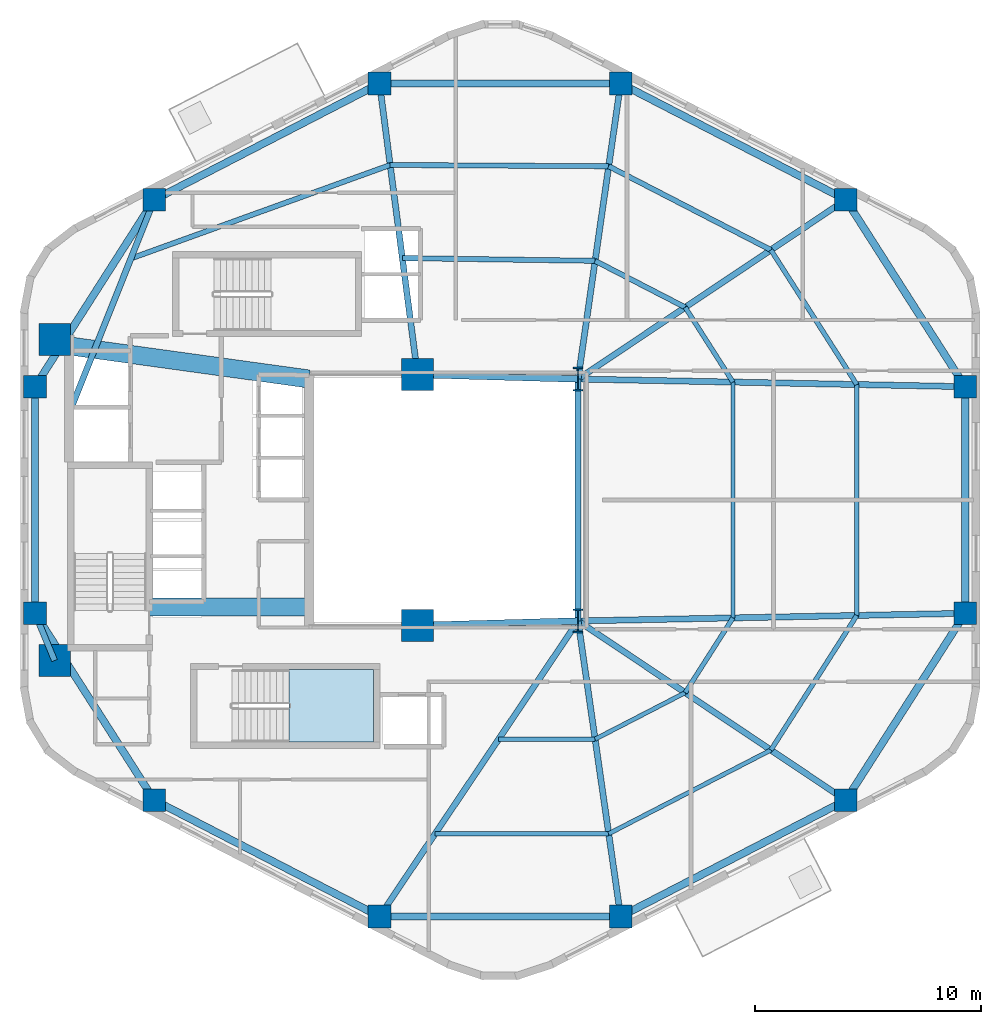
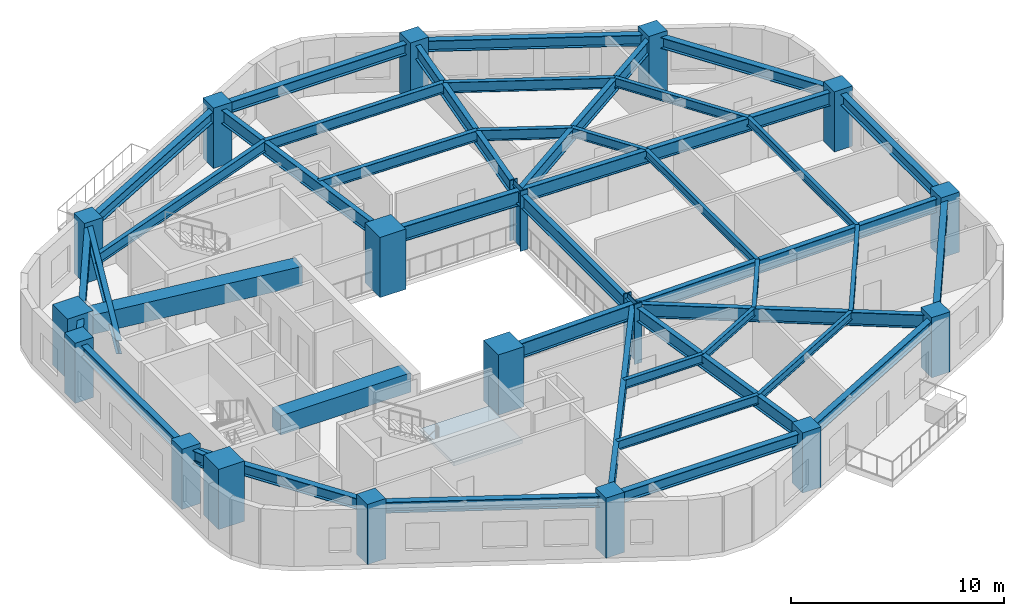
# One storey, part 1 of 8: 42 beams, 18 columns, 1 slab, 1 element without a shape of its own.
"""IFC4 building model written with IfcOpenShell, lengths in metres."""

from ifc_helpers import new_model, si_unit, direction, frame, origin, origin_2d, place, context, subcontext, project, spatial, polyline, rectangle, i_section, outline, extrude, material, layer, layer_set, material_profile, profile_set, type_object, element, aggregate, save


model = new_model("IFC4")

# Units and contexts
model_context = context("Model", 3, precision=1e-05, world=origin(), true_north=direction((0.0, 1.0)))
body_context = subcontext(model_context, "Body", "Model", "MODEL_VIEW")
ifc_project = project(units=[si_unit("LENGTHUNIT", "METRE"), si_unit("AREAUNIT", "SQUARE_METRE"), si_unit("VOLUMEUNIT", "CUBIC_METRE"), si_unit("PLANEANGLEUNIT", "RADIAN"), si_unit("MASSUNIT", "GRAM", prefix="KILO"), si_unit("THERMODYNAMICTEMPERATUREUNIT", "KELVIN"), si_unit("POWERUNIT", "WATT")], contexts=[model_context])

# Site, building, storey
site_placement = place(None, origin())
site = spatial("IfcSite", under=ifc_project, at=site_placement, CompositionType="ELEMENT")
building_placement = place(site_placement, origin())
building = spatial("IfcBuilding", under=site, at=building_placement, Name="Skarre Station Tower", CompositionType="ELEMENT")
storey_placement = place(building_placement, frame((0.0, 0.0, 153.300048828125)))
storey = spatial("IfcBuildingStorey", under=building, at=storey_placement, Name="L41", CompositionType="ELEMENT", Elevation=153.300048828125)

# Columns
ifc_material_1 = material(Name="Concrete C60/75", Category="concrete")
ifc_material_profile_1 = material_profile(ifc_material_1, rectangle(XDim=1.0, YDim=1.0, at=origin_2d()), Name="Concrete C60/75")
ifc_profile_set_1 = profile_set([ifc_material_profile_1], Name="Concrete C60/75")
column_type_1 = type_object("IfcColumnType", Name="RC Structural Column RC-COL-1000X1000", PredefinedType="COLUMN", material=ifc_profile_set_1)
for number, where, z_axis, x_axis, name in (
    (1, (51.291015625, 37.277099609375, 0.0), (0.0, 0.0, 1.0), (1.0, 0.0, 0.0), "L41 Zone 2 Perimeter Column F0C1"),
    (2, (41.3310546875, 42.41796875, 0.0), (0.0, 0.0, 1.0), (1.0, 0.0, 0.0), "L41 Zone 2 Perimeter Column F0C2"),
    (3, (30.6689453125, 42.41796875, 0.0), (0.0, 0.0, 1.0), (1.0, 0.0, 0.0), "L41 Zone 2 Perimeter Column F1C1"),
    (4, (20.708984375, 37.277099609375, 0.0), (0.0, 0.0, 1.0), (1.0, 0.0, 0.0), "L41 Zone 2 Perimeter Column F1C2"),
    (5, (15.431884765625, 29.010986328125, 0.0), (0.0, 0.0, 1.0), (1.0, 0.0, 0.0), "L41 Zone 2 Perimeter Column F2C1"),
    (6, (15.431884765625, 18.989013671875, 0.0), (0.0, 0.0, 1.0), (1.0, 0.0, 0.0), "L41 Zone 2 Perimeter Column F2C2"),
    (7, (20.708984375, 10.722900390625, 0.0), (0.0, 0.0, 1.0), (1.0, 0.0, 0.0), "L41 Zone 2 Perimeter Column F3C1"),
    (8, (30.6689453125, 5.58203125, 0.0), (0.0, 0.0, 1.0), (1.0, 0.0, 0.0), "L41 Zone 2 Perimeter Column F3C2"),
    (9, (41.3310546875, 5.58203125, 0.0), (0.0, 0.0, 1.0), (1.0, 0.0, 0.0), "L41 Zone 2 Perimeter Column F4C1"),
    (10, (51.291015625, 10.722900390625, 0.0), (0.0, 0.0, 1.0), (1.0, 0.0, 0.0), "L41 Zone 2 Perimeter Column F4C2"),
    (11, (56.568115234375, 18.989013671875, 0.0), (0.0, 0.0, 1.0), (1.0, 0.0, 0.0), "L41 Zone 2 Perimeter Column F5C1"),
    (12, (56.568115234375, 29.010986328125, 0.0), (0.0, 0.0, 1.0), (1.0, 0.0, 0.0), "L41 Zone 2 Perimeter Column F5C2"),
):
    element("IfcColumn", number, at=place(storey_placement, frame(where, z_axis=z_axis, x_axis=x_axis)), inside=storey, type_object=column_type_1, Name=name, PredefinedType="COLUMN", context=body_context, shape_type="SweptSolid", body=[
        extrude(rectangle(XDim=1.0, YDim=1.0, at=origin_2d()), origin(), (0.0, 0.0, 1.0), 3.449951171875),
    ])
ifc_material_2 = material(Name="Concrete C70/85", Category="concrete")
ifc_material_profile_2 = material_profile(ifc_material_2, rectangle(XDim=1.39990234375, YDim=1.39990234375, at=origin_2d()), Name="Concrete C70/85")
ifc_profile_set_2 = profile_set([ifc_material_profile_2], Name="Concrete C70/85")
column_type_2 = type_object("IfcColumnType", Name="RC Structural Column RC-COL-1400X1400", PredefinedType="COLUMN", material=ifc_profile_set_2)
for number, where, z_axis, x_axis, name in (
    (13, (16.300048828125, 16.89990234375, 0.0), (0.0, 0.0, 1.0), (1.0, 0.0, 0.0), "L41 Core Column CC-SW"),
    (14, (16.300048828125, 31.10009765625, 0.0), (0.0, 0.0, 1.0), (1.0, 0.0, 0.0), "L41 Core Column CC-NW"),
    (15, (32.35009765625, 18.449951171875, 0.0), (0.0, 0.0, 1.0), (1.0, 0.0, 0.0), "L41 Core Column CC-SE"),
    (16, (32.35009765625, 29.550048828125, 0.0), (0.0, 0.0, 1.0), (1.0, 0.0, 0.0), "L41 Core Column CC-NE"),
):
    element("IfcColumn", number, at=place(storey_placement, frame(where, z_axis=z_axis, x_axis=x_axis)), inside=storey, type_object=column_type_2, Name=name, PredefinedType="COLUMN", context=body_context, shape_type="SweptSolid", body=[
        extrude(rectangle(XDim=1.39990234375, YDim=1.39990234375, at=origin_2d()), origin(), (0.0, 0.0, 1.0), 3.449951171875),
    ])
ifc_material_3 = material(Name="Steel ASTM A913 Grade 65", Category="steel")
ifc_material_profile_3 = material_profile(ifc_material_3, i_section(OverallWidth=0.409912109375, OverallDepth=1.041015625, WebThickness=0.031005859375, FlangeThickness=0.055908203125, at=origin_2d()), Name="Steel ASTM A913 Grade 65")
ifc_profile_set_3 = profile_set([ifc_material_profile_3], Name="Steel ASTM A913 Grade 65")
column_type_3 = type_object("IfcColumnType", Name="Steel Column W40X397", PredefinedType="COLUMN", material=ifc_profile_set_3)
for number, where, z_axis, x_axis, name in (
    (17, (39.449951171875, 18.64990234375, 0.0), (0.0, 0.0, 1.0), (1.0, 0.0, 0.0), "L41 Atrium Spine Column AC-SE"),
    (18, (39.449951171875, 29.35009765625, 0.0), (0.0, 0.0, 1.0), (1.0, 0.0, 0.0), "L41 Atrium Spine Column AC-NE"),
):
    element("IfcColumn", number, at=place(storey_placement, frame(where, z_axis=z_axis, x_axis=x_axis)), inside=storey, type_object=column_type_3, Name=name, PredefinedType="COLUMN", context=body_context, shape_type="SweptSolid", body=[
        extrude(i_section(OverallWidth=0.409912109375, OverallDepth=1.041015625, WebThickness=0.031005859375, FlangeThickness=0.055908203125, at=origin_2d()), origin(), (0.0, 0.0, 1.0), 3.449951171875),
    ])

# Beams
ifc_material_profile_4 = material_profile(ifc_material_2, rectangle(XDim=0.800048828125, YDim=1.10009765625, at=origin_2d()), Name="Concrete C70/85")
ifc_profile_set_4 = profile_set([ifc_material_profile_4], Name="Concrete C70/85")
beam_type_1 = type_object("IfcBeamType", Name="RC Core Coupling Lintel 800x1100", PredefinedType="LINTEL", material=ifc_profile_set_4)
beam_1_placement = place(storey_placement, frame((20.489990234375, 19.260009765625, 2.639892578125), z_axis=(1.0, 0.0, 0.0), x_axis=(0.0, 1.0, 0.0)))
element("IfcBeam", 19, at=beam_1_placement, inside=storey, type_object=beam_type_1, Name="L41 South Core Coupling Lintel", PredefinedType="LINTEL", context=body_context, shape_type="SweptSolid", body=[
    extrude(rectangle(XDim=0.800048828125, YDim=1.10009765625, at=origin_2d()), origin(), (0.0, 0.0, 1.0), 7.06005859375),
])
beam_2_placement = place(storey_placement, frame((17.050048828125, 30.800048828125, 2.639892578125), z_axis=(0.990599723633, -0.136792498109, 0.0), x_axis=(0.136792498109, 0.990599723633, 0.0)))
element("IfcBeam", 20, at=beam_2_placement, inside=storey, type_object=beam_type_1, Name="L41 North Core Coupling Lintel", PredefinedType="LINTEL", context=body_context, shape_type="SweptSolid", body=[
    extrude(rectangle(XDim=0.800048828125, YDim=1.10009765625, at=origin_2d()), origin(), (0.0, 0.0, 1.0), 10.599609375),
])
ifc_material_4 = material(Name="Steel ASTM A992 Grade 50", Category="steel")
ifc_material_profile_5 = material_profile(ifc_material_4, i_section(OverallWidth=0.26806640625, OverallDepth=0.77001953125, WebThickness=0.01611328125, FlangeThickness=0.02490234375, at=origin_2d()), Name="Steel ASTM A992 Grade 50")
ifc_profile_set_5 = profile_set([ifc_material_profile_5], Name="Steel ASTM A992 Grade 50")
beam_type_2 = type_object("IfcBeamType", Name="Steel Beam W30X132", PredefinedType="BEAM", material=ifc_profile_set_5)
beam_3_placement = place(storey_placement, frame((39.449951171875, 18.64990234375, 2.804931640625), z_axis=(0.0, 1.0, 0.0), x_axis=(-1.0, 0.0, 0.0)))
element("IfcBeam", 21, at=beam_3_placement, inside=storey, type_object=beam_type_2, Name="L41 Atrium East Edge Girder", PredefinedType="BEAM", context=body_context, shape_type="SweptSolid", body=[
    extrude(i_section(OverallWidth=0.26806640625, OverallDepth=0.77001953125, WebThickness=0.01611328125, FlangeThickness=0.02490234375, at=origin_2d()), origin(), (0.0, 0.0, 1.0), 10.7001953125),
])
beam_4_placement = place(storey_placement, frame((39.449951171875, 29.35009765625, 2.804931640625), z_axis=(0.830981218317, 0.556300471692, 0.0), x_axis=(-0.556300471692, 0.830981218317, 0.0)))
element("IfcBeam", 22, at=beam_4_placement, inside=storey, type_object=beam_type_2, Name="L41 Radial Floor Girder F0C1", PredefinedType="BEAM", context=body_context, shape_type="SweptSolid", body=[
    extrude(i_section(OverallWidth=0.26806640625, OverallDepth=0.77001953125, WebThickness=0.01611328125, FlangeThickness=0.02490234375, at=origin_2d()), origin(), (0.0, 0.0, 1.0), 14.24951171875),
])
beam_5_placement = place(storey_placement, frame((39.449951171875, 29.35009765625, 2.804931640625), z_axis=(0.142480121776, 0.989797663616, 0.0), x_axis=(-0.989797663616, 0.142480121776, 0.0)))
element("IfcBeam", 23, at=beam_5_placement, inside=storey, type_object=beam_type_2, Name="L41 Radial Floor Girder F0C2", PredefinedType="BEAM", context=body_context, shape_type="SweptSolid", body=[
    extrude(i_section(OverallWidth=0.26806640625, OverallDepth=0.77001953125, WebThickness=0.01611328125, FlangeThickness=0.02490234375, at=origin_2d()), origin(), (0.0, 0.0, 1.0), 13.20263671875),
])
beam_6_placement = place(storey_placement, frame((32.35009765625, 29.550048828125, 2.804931640625), z_axis=(-0.129545878778, 0.991573429097, 0.0), x_axis=(-0.991573429097, -0.129545878778, 0.0)))
element("IfcBeam", 24, at=beam_6_placement, inside=storey, type_object=beam_type_2, Name="L41 Radial Floor Girder F1C1", PredefinedType="BEAM", context=body_context, shape_type="SweptSolid", body=[
    extrude(i_section(OverallWidth=0.26806640625, OverallDepth=0.77001953125, WebThickness=0.01611328125, FlangeThickness=0.02490234375, at=origin_2d()), origin(), (0.0, 0.0, 1.0), 12.977294921875),
])
beam_7_placement = place(storey_placement, frame((17.010009765625, 28.0, 2.804931640625), z_axis=(0.370366288946, 0.928885790618, 0.0), x_axis=(-0.928885790618, 0.370366288946, 0.0)))
element("IfcBeam", 25, at=beam_7_placement, inside=storey, type_object=beam_type_2, Name="L41 Radial Floor Girder F1C2", PredefinedType="BEAM", context=body_context, shape_type="SweptSolid", body=[
    extrude(i_section(OverallWidth=0.26806640625, OverallDepth=0.77001953125, WebThickness=0.01611328125, FlangeThickness=0.02490234375, at=origin_2d()), origin(), (0.0, 0.0, 1.0), 9.9873046875),
])
beam_8_placement = place(storey_placement, frame((16.300048828125, 16.89990234375, 2.804931640625), z_axis=(-0.383749333092, 0.923437301256, 0.0), x_axis=(-0.923437301256, -0.383749333092, 0.0)))
element("IfcBeam", 26, at=beam_8_placement, inside=storey, type_object=beam_type_2, Name="L41 Radial Floor Girder F2C2", PredefinedType="BEAM", context=body_context, shape_type="SweptSolid", body=[
    extrude(i_section(OverallWidth=0.26806640625, OverallDepth=0.77001953125, WebThickness=0.01611328125, FlangeThickness=0.02490234375, at=origin_2d()), origin(), (0.0, 0.0, 1.0), 2.26220703125),
])
beam_9_placement = place(storey_placement, frame((39.449951171875, 18.64990234375, 2.804931640625), z_axis=(-0.55773464691, -0.830019315219, 0.0), x_axis=(0.830019315219, -0.55773464691, 0.0)))
element("IfcBeam", 27, at=beam_9_placement, inside=storey, type_object=beam_type_2, Name="L41 Radial Floor Girder F3C2", PredefinedType="BEAM", context=body_context, shape_type="SweptSolid", body=[
    extrude(i_section(OverallWidth=0.26806640625, OverallDepth=0.77001953125, WebThickness=0.01611328125, FlangeThickness=0.02490234375, at=origin_2d()), origin(), (0.0, 0.0, 1.0), 15.744140625),
])
beam_10_placement = place(storey_placement, frame((39.449951171875, 18.64990234375, 2.804931640625), z_axis=(0.142480121776, -0.989797663616, 0.0), x_axis=(0.989797663616, 0.142480121776, 0.0)))
element("IfcBeam", 28, at=beam_10_placement, inside=storey, type_object=beam_type_2, Name="L41 Radial Floor Girder F4C1", PredefinedType="BEAM", context=body_context, shape_type="SweptSolid", body=[
    extrude(i_section(OverallWidth=0.26806640625, OverallDepth=0.77001953125, WebThickness=0.01611328125, FlangeThickness=0.02490234375, at=origin_2d()), origin(), (0.0, 0.0, 1.0), 13.20263671875),
])
beam_11_placement = place(storey_placement, frame((39.449951171875, 18.64990234375, 2.804931640625), z_axis=(0.830981218317, -0.556300471692, 0.0), x_axis=(0.556300471692, 0.830981218317, 0.0)))
element("IfcBeam", 29, at=beam_11_placement, inside=storey, type_object=beam_type_2, Name="L41 Radial Floor Girder F4C2", PredefinedType="BEAM", context=body_context, shape_type="SweptSolid", body=[
    extrude(i_section(OverallWidth=0.26806640625, OverallDepth=0.77001953125, WebThickness=0.01611328125, FlangeThickness=0.02490234375, at=origin_2d()), origin(), (0.0, 0.0, 1.0), 14.24951171875),
])
for number, where, z_axis, x_axis, name in (
    (30, (39.449951171875, 18.64990234375, 2.804931640625), (0.999803839107, 0.019806143142, 0.0), (-0.019806143142, 0.999803839107, 0.0), "L41 Radial Floor Girder F5C1"),
    (31, (39.449951171875, 29.35009765625, 2.804931640625), (0.999803839107, -0.019806143142, 0.0), (0.019806143142, 0.999803839107, 0.0), "L41 Radial Floor Girder F5C2"),
):
    element("IfcBeam", number, at=place(storey_placement, frame(where, z_axis=z_axis, x_axis=x_axis)), inside=storey, type_object=beam_type_2, Name=name, PredefinedType="BEAM", context=body_context, shape_type="SweptSolid", body=[
        extrude(i_section(OverallWidth=0.26806640625, OverallDepth=0.77001953125, WebThickness=0.01611328125, FlangeThickness=0.02490234375, at=origin_2d()), origin(), (0.0, 0.0, 1.0), 17.12158203125),
    ])
ifc_material_profile_6 = material_profile(ifc_material_4, i_section(OverallWidth=0.2919921875, OverallDepth=0.85888671875, WebThickness=0.01708984375, FlangeThickness=0.031005859375, at=origin_2d()), Name="Steel ASTM A992 Grade 50")
ifc_profile_set_6 = profile_set([ifc_material_profile_6], Name="Steel ASTM A992 Grade 50")
beam_type_3 = type_object("IfcBeamType", Name="Steel Beam W33X169", PredefinedType="BEAM", material=ifc_profile_set_6)
for number, where, z_axis, x_axis, name in (
    (32, (32.35009765625, 18.449951171875, 2.760986328125), (0.999603666405, 0.028151556095, 0.0), (-0.028151556095, 0.999603666405, 0.0), "L41 Atrium South Edge Girder"),
    (33, (32.35009765625, 29.550048828125, 2.760986328125), (0.999603666405, -0.028151556095, 0.0), (0.028151556095, 0.999603666405, 0.0), "L41 Atrium North Edge Girder"),
):
    element("IfcBeam", number, at=place(storey_placement, frame(where, z_axis=z_axis, x_axis=x_axis)), inside=storey, type_object=beam_type_3, Name=name, PredefinedType="BEAM", context=body_context, shape_type="SweptSolid", body=[
        extrude(i_section(OverallWidth=0.2919921875, OverallDepth=0.85888671875, WebThickness=0.01708984375, FlangeThickness=0.031005859375, at=origin_2d()), origin(), (0.0, 0.0, 1.0), 7.102783203125),
    ])
ifc_material_profile_7 = material_profile(ifc_material_4, i_section(OverallWidth=0.19091796875, OverallDepth=0.45703125, WebThickness=0.009033203125, FlangeThickness=0.013916015625, at=origin_2d()), Name="Steel ASTM A992 Grade 50")
ifc_profile_set_7 = profile_set([ifc_material_profile_7], Name="Steel ASTM A992 Grade 50")
beam_type_4 = type_object("IfcBeamType", Name="Steel Joist W18X50", PredefinedType="JOIST", material=ifc_profile_set_7)
beam_12_placement = place(storey_placement, frame((40.201904296875, 13.423095703125, 2.9619140625), z_axis=(0.888658598325, 0.458569401097, 0.0), x_axis=(-0.458569401097, 0.888658598325, 0.0)))
element("IfcBeam", 34, at=beam_12_placement, inside=storey, type_object=beam_type_4, Name="L41 Auxiliary Composite Joist 9", PredefinedType="JOIST", context=body_context, shape_type="SweptSolid", body=[
    extrude(i_section(OverallWidth=0.19091796875, OverallDepth=0.45703125, WebThickness=0.009033203125, FlangeThickness=0.013916015625, at=origin_2d()), origin(), (0.0, 0.0, 1.0), 4.4833984375),
])
beam_13_placement = place(storey_placement, frame((40.803955078125, 9.240966796875, 2.9619140625), z_axis=(0.888599977053, 0.458682985057, 0.0), x_axis=(-0.458682985057, 0.888599977053, 0.0)))
element("IfcBeam", 35, at=beam_13_placement, inside=storey, type_object=beam_type_4, Name="L41 Auxiliary Composite Joist 10", PredefinedType="JOIST", context=body_context, shape_type="SweptSolid", body=[
    extrude(i_section(OverallWidth=0.19091796875, OverallDepth=0.45703125, WebThickness=0.009033203125, FlangeThickness=0.013916015625, at=origin_2d()), origin(), (0.0, 0.0, 1.0), 8.0712890625),
])
beam_14_placement = place(storey_placement, frame((46.297119140625, 18.785888671875, 2.9619140625), z_axis=(0.0, 1.0, 0.0), x_axis=(-1.0, 0.0, 0.0)))
element("IfcBeam", 36, at=beam_14_placement, inside=storey, type_object=beam_type_4, Name="L41 Auxiliary Composite Joist 13", PredefinedType="JOIST", context=body_context, shape_type="SweptSolid", body=[
    extrude(i_section(OverallWidth=0.19091796875, OverallDepth=0.45703125, WebThickness=0.009033203125, FlangeThickness=0.013916015625, at=origin_2d()), origin(), (0.0, 0.0, 1.0), 10.42822265625),
])
beam_15_placement = place(storey_placement, frame((51.77490234375, 18.89404296875, 2.9619140625), z_axis=(0.0, 1.0, 0.0), x_axis=(-1.0, 0.0, 0.0)))
element("IfcBeam", 37, at=beam_15_placement, inside=storey, type_object=beam_type_4, Name="L41 Auxiliary Composite Joist 14", PredefinedType="JOIST", context=body_context, shape_type="SweptSolid", body=[
    extrude(i_section(OverallWidth=0.19091796875, OverallDepth=0.45703125, WebThickness=0.009033203125, FlangeThickness=0.013916015625, at=origin_2d()), origin(), (0.0, 0.0, 1.0), 10.2119140625),
])
ifc_material_profile_8 = material_profile(ifc_material_4, i_section(OverallWidth=0.208984375, OverallDepth=0.532958984375, WebThickness=0.010009765625, FlangeThickness=0.01611328125, at=origin_2d()), Name="Steel ASTM A992 Grade 50")
ifc_profile_set_8 = profile_set([ifc_material_profile_8], Name="Steel ASTM A992 Grade 50")
beam_type_5 = type_object("IfcBeamType", Name="Steel Joist W21X62", PredefinedType="JOIST", material=ifc_profile_set_8)
beam_16_placement = place(storey_placement, frame((35.93798828125, 13.423095703125, 2.924072265625), z_axis=(1.0, 0.0, 0.0), x_axis=(0.0, 1.0, 0.0)))
element("IfcBeam", 38, at=beam_16_placement, inside=storey, type_object=beam_type_5, Name="L41 Auxiliary Composite Joist 7", PredefinedType="JOIST", context=body_context, shape_type="SweptSolid", body=[
    extrude(i_section(OverallWidth=0.208984375, OverallDepth=0.532958984375, WebThickness=0.010009765625, FlangeThickness=0.01611328125, at=origin_2d()), origin(), (0.0, 0.0, 1.0), 4.263916015625),
])
beam_17_placement = place(storey_placement, frame((33.1279296875, 9.240966796875, 2.924072265625), z_axis=(1.0, 0.0, 0.0), x_axis=(0.0, 1.0, 0.0)))
element("IfcBeam", 39, at=beam_17_placement, inside=storey, type_object=beam_type_5, Name="L41 Auxiliary Composite Joist 8", PredefinedType="JOIST", context=body_context, shape_type="SweptSolid", body=[
    extrude(i_section(OverallWidth=0.208984375, OverallDepth=0.532958984375, WebThickness=0.010009765625, FlangeThickness=0.01611328125, at=origin_2d()), origin(), (0.0, 0.0, 1.0), 7.676025390625),
])
beam_18_placement = place(storey_placement, frame((44.18603515625, 15.47900390625, 2.924072265625), z_axis=(0.538090955129, 0.842886780065, 0.0), x_axis=(-0.842886780065, 0.538090955129, 0.0)))
element("IfcBeam", 40, at=beam_18_placement, inside=storey, type_object=beam_type_5, Name="L41 Auxiliary Composite Joist 11", PredefinedType="JOIST", context=body_context, shape_type="SweptSolid", body=[
    extrude(i_section(OverallWidth=0.208984375, OverallDepth=0.532958984375, WebThickness=0.010009765625, FlangeThickness=0.01611328125, at=origin_2d()), origin(), (0.0, 0.0, 1.0), 3.92333984375),
])
beam_19_placement = place(storey_placement, frame((47.97607421875, 12.943115234375, 2.924072265625), z_axis=(0.538072046089, 0.842898851119, 0.0), x_axis=(-0.842898851119, 0.538072046089, 0.0)))
element("IfcBeam", 41, at=beam_19_placement, inside=storey, type_object=beam_type_5, Name="L41 Auxiliary Composite Joist 12", PredefinedType="JOIST", context=body_context, shape_type="SweptSolid", body=[
    extrude(i_section(OverallWidth=0.208984375, OverallDepth=0.532958984375, WebThickness=0.010009765625, FlangeThickness=0.01611328125, at=origin_2d()), origin(), (0.0, 0.0, 1.0), 7.06005859375),
])
beam_20_placement = place(storey_placement, frame((46.297119140625, 29.214111328125, 2.924072265625), z_axis=(-0.538090955129, 0.842886780065, 0.0), x_axis=(-0.842886780065, -0.538090955129, 0.0)))
element("IfcBeam", 42, at=beam_20_placement, inside=storey, type_object=beam_type_5, Name="L41 Auxiliary Composite Joist 15", PredefinedType="JOIST", context=body_context, shape_type="SweptSolid", body=[
    extrude(i_section(OverallWidth=0.208984375, OverallDepth=0.532958984375, WebThickness=0.010009765625, FlangeThickness=0.01611328125, at=origin_2d()), origin(), (0.0, 0.0, 1.0), 3.92333984375),
])
beam_21_placement = place(storey_placement, frame((51.77490234375, 29.10595703125, 2.924072265625), z_axis=(-0.538072046089, 0.842898851119, 0.0), x_axis=(-0.842898851119, -0.538072046089, 0.0)))
element("IfcBeam", 43, at=beam_21_placement, inside=storey, type_object=beam_type_5, Name="L41 Auxiliary Composite Joist 16", PredefinedType="JOIST", context=body_context, shape_type="SweptSolid", body=[
    extrude(i_section(OverallWidth=0.208984375, OverallDepth=0.532958984375, WebThickness=0.010009765625, FlangeThickness=0.01611328125, at=origin_2d()), origin(), (0.0, 0.0, 1.0), 7.06005859375),
])
ifc_material_profile_9 = material_profile(ifc_material_4, i_section(OverallWidth=0.22802734375, OverallDepth=0.60791015625, WebThickness=0.010986328125, FlangeThickness=0.01708984375, at=origin_2d()), Name="Steel ASTM A992 Grade 50")
ifc_profile_set_9 = profile_set([ifc_material_profile_9], Name="Steel ASTM A992 Grade 50")
beam_type_6 = type_object("IfcBeamType", Name="Steel Joist W24X76", PredefinedType="JOIST", material=ifc_profile_set_9)
beam_22_placement = place(storey_placement, frame((44.18603515625, 32.52099609375, 2.885986328125), z_axis=(-0.888658598325, 0.458569401097, 0.0), x_axis=(-0.458569401097, -0.888658598325, 0.0)))
element("IfcBeam", 44, at=beam_22_placement, inside=storey, type_object=beam_type_6, Name="L41 Secondary Floor Joist 1", PredefinedType="JOIST", context=body_context, shape_type="SweptSolid", body=[
    extrude(i_section(OverallWidth=0.22802734375, OverallDepth=0.60791015625, WebThickness=0.010986328125, FlangeThickness=0.01708984375, at=origin_2d()), origin(), (0.0, 0.0, 1.0), 4.4833984375),
])
beam_23_placement = place(storey_placement, frame((47.97607421875, 35.056884765625, 2.885986328125), z_axis=(-0.888599977053, 0.458682985057, 0.0), x_axis=(-0.458682985057, -0.888599977053, 0.0)))
element("IfcBeam", 45, at=beam_23_placement, inside=storey, type_object=beam_type_6, Name="L41 Secondary Floor Joist 2", PredefinedType="JOIST", context=body_context, shape_type="SweptSolid", body=[
    extrude(i_section(OverallWidth=0.22802734375, OverallDepth=0.60791015625, WebThickness=0.010986328125, FlangeThickness=0.01708984375, at=origin_2d()), origin(), (0.0, 0.0, 1.0), 8.0712890625),
])
beam_24_placement = place(storey_placement, frame((40.201904296875, 34.576904296875, 2.885986328125), z_axis=(-0.999900725817, 0.014090369396, 0.0), x_axis=(-0.014090369396, -0.999900725817, 0.0)))
element("IfcBeam", 46, at=beam_24_placement, inside=storey, type_object=beam_type_6, Name="L41 Secondary Floor Joist 3", PredefinedType="JOIST", context=body_context, shape_type="SweptSolid", body=[
    extrude(i_section(OverallWidth=0.22802734375, OverallDepth=0.60791015625, WebThickness=0.010986328125, FlangeThickness=0.01708984375, at=origin_2d()), origin(), (0.0, 0.0, 1.0), 8.524658203125),
])
beam_25_placement = place(storey_placement, frame((40.803955078125, 38.759033203125, 2.885986328125), z_axis=(-0.999983266349, 0.005785068917, 0.0), x_axis=(-0.005785068917, -0.999983266349, 0.0)))
element("IfcBeam", 47, at=beam_25_placement, inside=storey, type_object=beam_type_6, Name="L41 Secondary Floor Joist 4", PredefinedType="JOIST", context=body_context, shape_type="SweptSolid", body=[
    extrude(i_section(OverallWidth=0.22802734375, OverallDepth=0.60791015625, WebThickness=0.010986328125, FlangeThickness=0.01708984375, at=origin_2d()), origin(), (0.0, 0.0, 1.0), 9.664306640625),
])
beam_26_placement = place(storey_placement, frame((31.139892578125, 38.81494140625, 2.885986328125), z_axis=(-0.940679663546, -0.339295992594, 0.0), x_axis=(0.339295992594, -0.940679663546, 0.0)))
element("IfcBeam", 48, at=beam_26_placement, inside=storey, type_object=beam_type_6, Name="L41 Secondary Floor Joist 6", PredefinedType="JOIST", context=body_context, shape_type="SweptSolid", body=[
    extrude(i_section(OverallWidth=0.22802734375, OverallDepth=0.60791015625, WebThickness=0.010986328125, FlangeThickness=0.01708984375, at=origin_2d()), origin(), (0.0, 0.0, 1.0), 12.18994140625),
])
ifc_material_profile_10 = material_profile(ifc_material_4, i_section(OverallWidth=0.327880859375, OverallDepth=0.6279296875, WebThickness=0.01708984375, FlangeThickness=0.028076171875, at=origin_2d()), Name="Steel ASTM A992 Grade 50")
ifc_profile_set_10 = profile_set([ifc_material_profile_10], Name="Steel ASTM A992 Grade 50")
beam_type_7 = type_object("IfcBeamType", Name="Steel Spandrel W24X146", PredefinedType="SPANDREL", material=ifc_profile_set_10)
beam_27_placement = place(storey_placement, frame((51.291015625, 37.277099609375, 2.8759765625), z_axis=(-0.888611779493, 0.458660119639, 0.0), x_axis=(-0.458660119639, -0.888611779493, 0.0)))
element("IfcBeam", 49, at=beam_27_placement, inside=storey, type_object=beam_type_7, Name="L41 Facet Spandrel Beam 1", PredefinedType="SPANDREL", context=body_context, shape_type="SweptSolid", body=[
    extrude(i_section(OverallWidth=0.327880859375, OverallDepth=0.6279296875, WebThickness=0.01708984375, FlangeThickness=0.028076171875, at=origin_2d()), origin(), (0.0, 0.0, 1.0), 11.20849609375),
])
beam_28_placement = place(storey_placement, frame((41.3310546875, 42.41796875, 2.8759765625), z_axis=(-1.0, 0.0, 0.0), x_axis=(0.0, -1.0, 0.0)))
element("IfcBeam", 50, at=beam_28_placement, inside=storey, type_object=beam_type_7, Name="L41 Facet Spandrel Beam 2", PredefinedType="SPANDREL", context=body_context, shape_type="SweptSolid", body=[
    extrude(i_section(OverallWidth=0.327880859375, OverallDepth=0.6279296875, WebThickness=0.01708984375, FlangeThickness=0.028076171875, at=origin_2d()), origin(), (0.0, 0.0, 1.0), 10.662109375),
])
beam_29_placement = place(storey_placement, frame((30.6689453125, 42.41796875, 2.8759765625), z_axis=(-0.888611779493, -0.458660119639, 0.0), x_axis=(0.458660119639, -0.888611779493, 0.0)))
element("IfcBeam", 51, at=beam_29_placement, inside=storey, type_object=beam_type_7, Name="L41 Facet Spandrel Beam 3", PredefinedType="SPANDREL", context=body_context, shape_type="SweptSolid", body=[
    extrude(i_section(OverallWidth=0.327880859375, OverallDepth=0.6279296875, WebThickness=0.01708984375, FlangeThickness=0.028076171875, at=origin_2d()), origin(), (0.0, 0.0, 1.0), 11.20849609375),
])
beam_30_placement = place(storey_placement, frame((20.708984375, 37.277099609375, 2.8759765625), z_axis=(-0.538097547923, -0.842882571251, 0.0), x_axis=(0.842882571251, -0.538097547923, 0.0)))
element("IfcBeam", 52, at=beam_30_placement, inside=storey, type_object=beam_type_7, Name="L41 Facet Spandrel Beam 4", PredefinedType="SPANDREL", context=body_context, shape_type="SweptSolid", body=[
    extrude(i_section(OverallWidth=0.327880859375, OverallDepth=0.6279296875, WebThickness=0.01708984375, FlangeThickness=0.028076171875, at=origin_2d()), origin(), (0.0, 0.0, 1.0), 9.806884765625),
])
beam_31_placement = place(storey_placement, frame((15.431884765625, 29.010986328125, 2.8759765625), z_axis=(0.0, -1.0, 0.0), x_axis=(1.0, 0.0, 0.0)))
element("IfcBeam", 53, at=beam_31_placement, inside=storey, type_object=beam_type_7, Name="L41 Facet Spandrel Beam 5", PredefinedType="SPANDREL", context=body_context, shape_type="SweptSolid", body=[
    extrude(i_section(OverallWidth=0.327880859375, OverallDepth=0.6279296875, WebThickness=0.01708984375, FlangeThickness=0.028076171875, at=origin_2d()), origin(), (0.0, 0.0, 1.0), 10.02197265625),
])
beam_32_placement = place(storey_placement, frame((15.431884765625, 18.989013671875, 2.8759765625), z_axis=(0.538097547923, -0.842882571251, 0.0), x_axis=(0.842882571251, 0.538097547923, 0.0)))
element("IfcBeam", 54, at=beam_32_placement, inside=storey, type_object=beam_type_7, Name="L41 Facet Spandrel Beam 6", PredefinedType="SPANDREL", context=body_context, shape_type="SweptSolid", body=[
    extrude(i_section(OverallWidth=0.327880859375, OverallDepth=0.6279296875, WebThickness=0.01708984375, FlangeThickness=0.028076171875, at=origin_2d()), origin(), (0.0, 0.0, 1.0), 9.806884765625),
])
beam_33_placement = place(storey_placement, frame((20.708984375, 10.722900390625, 2.8759765625), z_axis=(0.888611779493, -0.458660119639, 0.0), x_axis=(0.458660119639, 0.888611779493, 0.0)))
element("IfcBeam", 55, at=beam_33_placement, inside=storey, type_object=beam_type_7, Name="L41 Facet Spandrel Beam 7", PredefinedType="SPANDREL", context=body_context, shape_type="SweptSolid", body=[
    extrude(i_section(OverallWidth=0.327880859375, OverallDepth=0.6279296875, WebThickness=0.01708984375, FlangeThickness=0.028076171875, at=origin_2d()), origin(), (0.0, 0.0, 1.0), 11.20849609375),
])
beam_34_placement = place(storey_placement, frame((30.6689453125, 5.58203125, 2.8759765625), z_axis=(1.0, 0.0, 0.0), x_axis=(0.0, 1.0, 0.0)))
element("IfcBeam", 56, at=beam_34_placement, inside=storey, type_object=beam_type_7, Name="L41 Facet Spandrel Beam 8", PredefinedType="SPANDREL", context=body_context, shape_type="SweptSolid", body=[
    extrude(i_section(OverallWidth=0.327880859375, OverallDepth=0.6279296875, WebThickness=0.01708984375, FlangeThickness=0.028076171875, at=origin_2d()), origin(), (0.0, 0.0, 1.0), 10.662109375),
])
beam_35_placement = place(storey_placement, frame((41.3310546875, 5.58203125, 2.8759765625), z_axis=(0.888611779493, 0.458660119639, 0.0), x_axis=(-0.458660119639, 0.888611779493, 0.0)))
element("IfcBeam", 57, at=beam_35_placement, inside=storey, type_object=beam_type_7, Name="L41 Facet Spandrel Beam 9", PredefinedType="SPANDREL", context=body_context, shape_type="SweptSolid", body=[
    extrude(i_section(OverallWidth=0.327880859375, OverallDepth=0.6279296875, WebThickness=0.01708984375, FlangeThickness=0.028076171875, at=origin_2d()), origin(), (0.0, 0.0, 1.0), 11.20849609375),
])
beam_36_placement = place(storey_placement, frame((51.291015625, 10.722900390625, 2.8759765625), z_axis=(0.538097547923, 0.842882571251, 0.0), x_axis=(-0.842882571251, 0.538097547923, 0.0)))
element("IfcBeam", 58, at=beam_36_placement, inside=storey, type_object=beam_type_7, Name="L41 Facet Spandrel Beam 10", PredefinedType="SPANDREL", context=body_context, shape_type="SweptSolid", body=[
    extrude(i_section(OverallWidth=0.327880859375, OverallDepth=0.6279296875, WebThickness=0.01708984375, FlangeThickness=0.028076171875, at=origin_2d()), origin(), (0.0, 0.0, 1.0), 9.806884765625),
])
beam_37_placement = place(storey_placement, frame((56.568115234375, 18.989013671875, 2.8759765625), z_axis=(0.0, 1.0, 0.0), x_axis=(-1.0, 0.0, 0.0)))
element("IfcBeam", 59, at=beam_37_placement, inside=storey, type_object=beam_type_7, Name="L41 Facet Spandrel Beam 11", PredefinedType="SPANDREL", context=body_context, shape_type="SweptSolid", body=[
    extrude(i_section(OverallWidth=0.327880859375, OverallDepth=0.6279296875, WebThickness=0.01708984375, FlangeThickness=0.028076171875, at=origin_2d()), origin(), (0.0, 0.0, 1.0), 10.02197265625),
])
beam_38_placement = place(storey_placement, frame((56.568115234375, 29.010986328125, 2.8759765625), z_axis=(-0.538097547923, 0.842882571251, 0.0), x_axis=(-0.842882571251, -0.538097547923, 0.0)))
element("IfcBeam", 60, at=beam_38_placement, inside=storey, type_object=beam_type_7, Name="L41 Facet Spandrel Beam 12", PredefinedType="SPANDREL", context=body_context, shape_type="SweptSolid", body=[
    extrude(i_section(OverallWidth=0.327880859375, OverallDepth=0.6279296875, WebThickness=0.01708984375, FlangeThickness=0.028076171875, at=origin_2d()), origin(), (0.0, 0.0, 1.0), 9.806884765625),
])

# Stair, slab
ifc_material_5 = material(Name="Concrete C40/50", Category="concrete")
stair_type = type_object("IfcStairType", Name="Reinforced Concrete Exit Stair ST-2", PredefinedType="HALF_TURN_STAIR", material=ifc_material_5)
stair_placement = place(storey_placement, origin())
stair = element("IfcStair", 61, at=stair_placement, inside=storey, type_object=stair_type, Name="L41 Core Exit Stair ST-2", PredefinedType="HALF_TURN_STAIR")
ifc_layer = layer(ifc_material_5, 0.219970703125, Name="Concrete C40/50")
ifc_layer_set = layer_set([ifc_layer], Name="Concrete C40/50")
slab_type = type_object("IfcSlabType", Name="Reinforced Concrete Stair & Ramp Landing 220", PredefinedType="LANDING", material=ifc_layer_set)
slab_placement = place(storey_placement, frame((0.0, 0.0, 1.52490234375)))
slab = element("IfcSlab", 62, at=slab_placement, type_object=slab_type, Name="ST-2 landing 1", PredefinedType="LANDING", context=body_context, shape_type="SweptSolid", body=[
    extrude(outline(polyline([(26.669921875, 13.300048828125), (30.39990234375, 13.300048828125), (30.39990234375, 16.5), (26.669921875, 16.5), (26.669921875, 13.300048828125)])), origin(), (0.0, 0.0, 1.0), 0.199951171875),
])
aggregate(stair, [slab])

save(model, "model.ifc")
